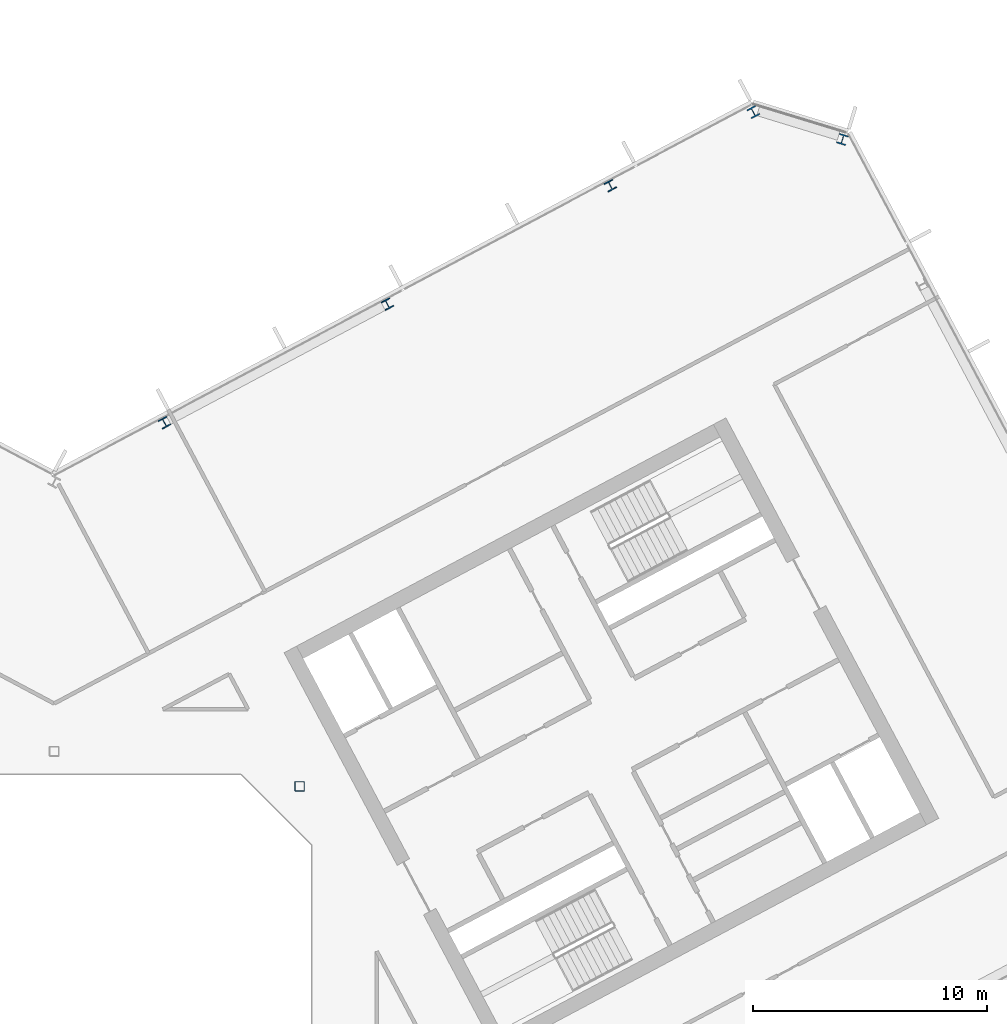
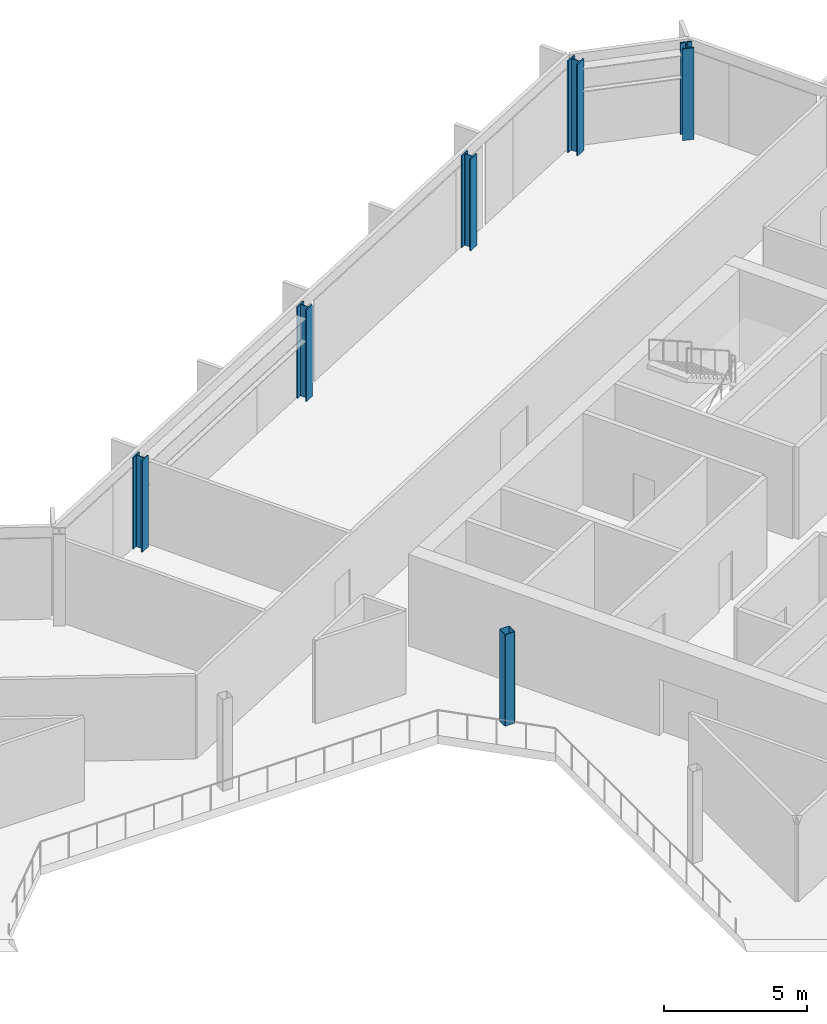
# One storey, part 6 of 27: 6 columns.
"""IFC4 building model written with IfcOpenShell, lengths in metres."""

from ifc_helpers import new_model, si_unit, direction, frame, origin, origin_2d, place, context, subcontext, project, spatial, hollow_rectangle, i_section, extrude, material, material_profile, profile_set, type_object, element, save


model = new_model("IFC4")

# Units and contexts
model_context = context("Model", 3, precision=1e-05, world=origin(), true_north=direction((0.0, 1.0)))
body_context = subcontext(model_context, "Body", "Model", "MODEL_VIEW")
ifc_project = project(units=[si_unit("LENGTHUNIT", "METRE"), si_unit("AREAUNIT", "SQUARE_METRE"), si_unit("VOLUMEUNIT", "CUBIC_METRE"), si_unit("PLANEANGLEUNIT", "RADIAN"), si_unit("MASSUNIT", "GRAM", prefix="KILO")], contexts=[model_context])

# Site, building, storey
site_placement = place(None, origin())
site = spatial("IfcSite", under=ifc_project, at=site_placement, CompositionType="ELEMENT")
building_placement = place(site_placement, origin())
building = spatial("IfcBuilding", under=site, at=building_placement, Name="Cormorant Relay Tower", CompositionType="ELEMENT")
storey_placement = place(building_placement, frame((0.0, 0.0, 201.300048828125)))
storey = spatial("IfcBuildingStorey", under=building, at=storey_placement, Name="L43", CompositionType="ELEMENT", Elevation=201.300048828125)

# Columns
ifc_material_1 = material(Name="Steel ASTM A500 Grade C (Fy 345 MPa)", Category="steel")
ifc_material_profile_1 = material_profile(ifc_material_1, hollow_rectangle(XDim=0.406494140625, YDim=0.406494140625, WallThickness=0.0146484375, InnerFilletRadius=0.00732421875, OuterFilletRadius=0.022216796875, at=origin_2d()), Name="HSS406x406x15")
ifc_profile_set_1 = profile_set([ifc_material_profile_1], Name="Steel ASTM A500 Grade C (Fy 345 MPa)")
column_type_1 = type_object("IfcColumnType", Name="Column HSS406x406x15", PredefinedType="COLUMN", material=ifc_profile_set_1)
column_placement = place(storey_placement, frame((10.5, 10.5, 0.0), z_axis=(0.0, 0.0, 1.0), x_axis=(1.0, 0.0, 0.0)))
element("IfcColumn", 1, at=column_placement, inside=storey, type_object=column_type_1, Name="Column L43-024", PredefinedType="COLUMN", context=body_context, shape_type="SweptSolid", body=[
    extrude(hollow_rectangle(XDim=0.406494140625, YDim=0.406494140625, WallThickness=0.0146484375, InnerFilletRadius=0.00732421875, OuterFilletRadius=0.022216796875, at=origin_2d()), origin(), (0.0, 0.0, 1.0), 3.89990234375),
])
ifc_material_2 = material(Name="Steel ASTM A992 (Fy 345 MPa)", Category="steel")
ifc_material_profile_2 = material_profile(ifc_material_2, i_section(OverallWidth=0.40380859375, OverallDepth=0.406494140625, WebThickness=0.027099609375, FlangeThickness=0.043701171875, FilletRadius=0.01513671875, at=origin_2d()), Name="W360x347")
ifc_profile_set_2 = profile_set([ifc_material_profile_2], Name="Steel ASTM A992 (Fy 345 MPa)")
column_type_2 = type_object("IfcColumnType", Name="Column W360x347", PredefinedType="COLUMN", material=ifc_profile_set_2)
for number, where, z_axis, x_axis, name in (
    (2, (4.719970703125, 26.055908203125, 0.0), (0.0, 0.0, 1.0), (-0.882947592859, -0.469471562786, 0.0), "Column L43-032"),
    (3, (14.256103515625, 31.1259765625, 0.0), (0.0, 0.0, 1.0), (-0.882947592859, -0.469471562786, 0.0), "Column L43-035"),
    (4, (23.7919921875, 36.196044921875, 0.0), (0.0, 0.0, 1.0), (-0.882947592859, -0.469471562786, 0.0), "Column L43-039"),
):
    element("IfcColumn", number, at=place(storey_placement, frame(where, z_axis=z_axis, x_axis=x_axis)), inside=storey, type_object=column_type_2, Name=name, PredefinedType="COLUMN", context=body_context, shape_type="SweptSolid", body=[
        extrude(i_section(OverallWidth=0.40380859375, OverallDepth=0.406494140625, WebThickness=0.027099609375, FlangeThickness=0.043701171875, FilletRadius=0.01513671875, at=origin_2d()), origin(), (0.0, 0.0, 1.0), 3.89990234375),
    ])
ifc_material_3 = material(Name="Steel ASTM A992 (Fy 345 MPa)", Category="steel")
ifc_material_profile_3 = material_profile(ifc_material_3, i_section(OverallWidth=0.41162109375, OverallDepth=0.434326171875, WebThickness=0.035888671875, FlangeThickness=0.057373046875, FilletRadius=0.01513671875, at=origin_2d()), Name="W360x463")
ifc_profile_set_3 = profile_set([ifc_material_profile_3], Name="Steel ASTM A992 (Fy 345 MPa)")
column_type_3 = type_object("IfcColumnType", Name="Column W360x463", PredefinedType="COLUMN", material=ifc_profile_set_3)
for number, where, z_axis, x_axis, name in (
    (5, (33.720947265625, 38.173095703125, 0.0), (0.0, 0.0, 1.0), (-0.956304755963, 0.292371704723, 0.0), "Column L43-041"),
    (6, (29.905029296875, 39.340087890625, 0.0), (0.0, 0.0, 1.0), (-0.882947592859, -0.469471562786, 0.0), "Column L43-043"),
):
    element("IfcColumn", number, at=place(storey_placement, frame(where, z_axis=z_axis, x_axis=x_axis)), inside=storey, type_object=column_type_3, Name=name, PredefinedType="COLUMN", context=body_context, shape_type="SweptSolid", body=[
        extrude(i_section(OverallWidth=0.41162109375, OverallDepth=0.434326171875, WebThickness=0.035888671875, FlangeThickness=0.057373046875, FilletRadius=0.01513671875, at=origin_2d()), origin(), (0.0, 0.0, 1.0), 3.89990234375),
    ])

save(model, "model.ifc")
